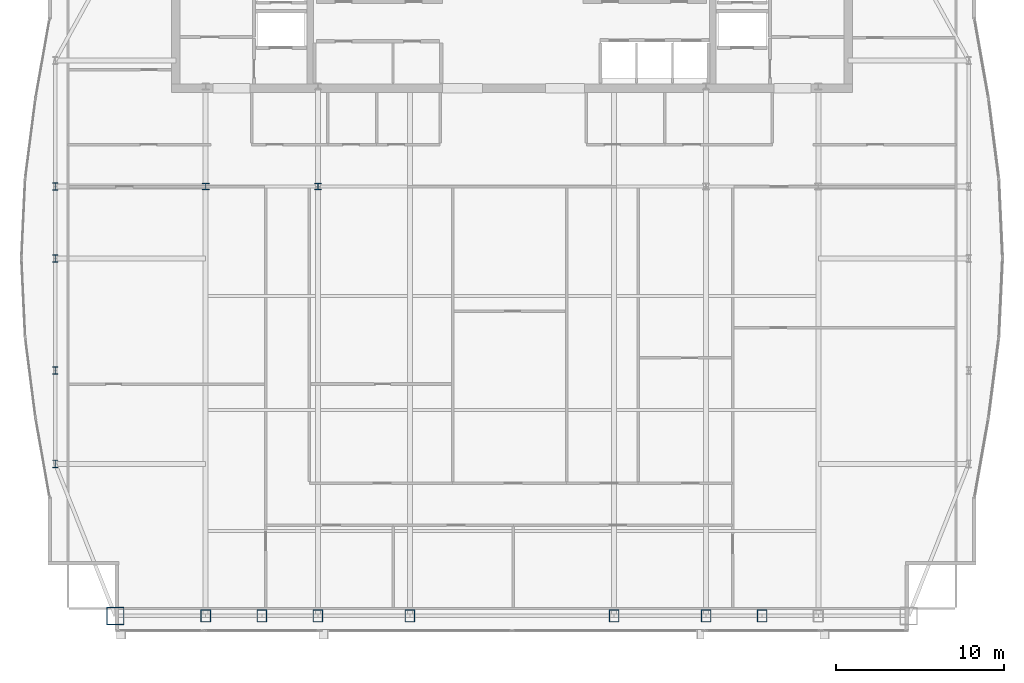
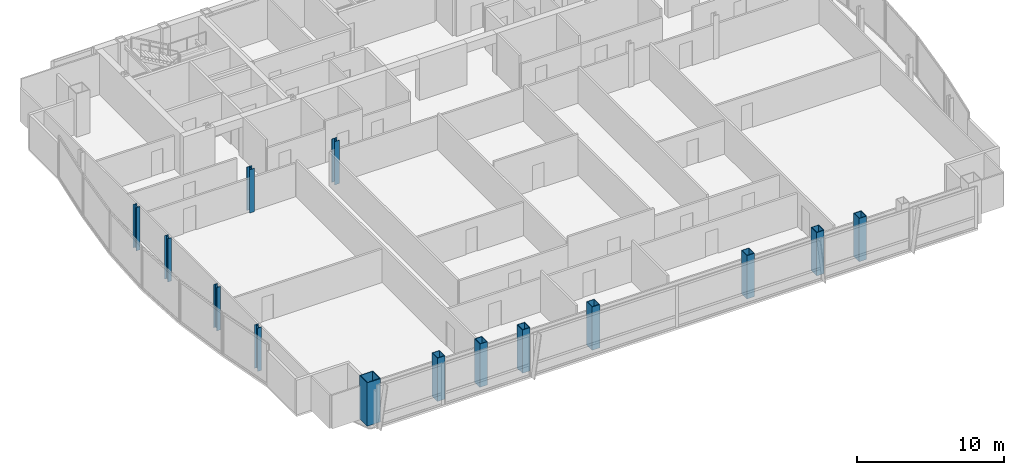
# One storey, part 1 of 30: 14 columns.
"""IFC4 building model written with IfcOpenShell, lengths in metres."""

from ifc_helpers import new_model, si_unit, direction, frame, origin, origin_2d, place, context, subcontext, project, spatial, hollow_rectangle, i_section, extrude, material, material_profile, profile_set, type_object, element, save


model = new_model("IFC4")

# Units and contexts
model_context = context("Model", 3, precision=1e-05, world=origin(), true_north=direction((0.0, 1.0)))
body_context = subcontext(model_context, "Body", "Model", "MODEL_VIEW")
ifc_project = project(units=[si_unit("LENGTHUNIT", "METRE"), si_unit("AREAUNIT", "SQUARE_METRE"), si_unit("VOLUMEUNIT", "CUBIC_METRE"), si_unit("PLANEANGLEUNIT", "RADIAN"), si_unit("MASSUNIT", "GRAM", prefix="KILO")], contexts=[model_context])

# Site, building, storey
site_placement = place(None, origin())
site = spatial("IfcSite", under=ifc_project, at=site_placement, CompositionType="ELEMENT")
building_placement = place(site_placement, origin())
building = spatial("IfcBuilding", under=site, at=building_placement, Name="Khoronbel Lancet Exchange", CompositionType="ELEMENT")
storey_placement = place(building_placement, frame((0.0, 0.0, 277.0)))
storey = spatial("IfcBuildingStorey", under=building, at=storey_placement, Name="L71", CompositionType="ELEMENT", Elevation=277.0)

# Columns
ifc_material_1 = material(Name="Steel S460", Category="steel")
ifc_material_profile_1 = material_profile(ifc_material_1, hollow_rectangle(XDim=0.60009765625, YDim=0.75, WallThickness=0.044921875, at=origin_2d()), Name="BOX 750x600x45")
ifc_profile_set_1 = profile_set([ifc_material_profile_1], Name="Steel S460")
column_type_1 = type_object("IfcColumnType", Name="COL-EC3", PredefinedType="COLUMN", material=ifc_profile_set_1)
for number, where, z_axis, x_axis, name in (
    (1, (18.22509765625, 10.14990234375, 0.0), (0.0, 0.0, 1.0), (1.0, 0.0, 0.0), "Structural column SC-W1 L71"),
    (2, (21.5625, 10.14990234375, 0.0), (0.0, 0.0, 1.0), (1.0, 0.0, 0.0), "Structural column SC-WM L71"),
    (3, (24.89990234375, 10.14990234375, 0.0), (0.0, 0.0, 1.0), (1.0, 0.0, 0.0), "Structural column SC-W2 L71"),
    (4, (30.375, 10.14990234375, 0.0), (0.0, 0.0, 1.0), (1.0, 0.0, 0.0), "Structural column SC-C1 L71"),
    (5, (42.52490234375, 10.14990234375, 0.0), (0.0, 0.0, 1.0), (1.0, 0.0, 0.0), "Structural column SC-C2 L71"),
    (6, (48.0, 10.14990234375, 0.0), (0.0, 0.0, 1.0), (1.0, 0.0, 0.0), "Structural column SC-E1 L71"),
    (7, (51.33740234375, 10.14990234375, 0.0), (0.0, 0.0, 1.0), (1.0, 0.0, 0.0), "Structural column SC-EM L71"),
):
    element("IfcColumn", number, at=place(storey_placement, frame(where, z_axis=z_axis, x_axis=x_axis)), inside=storey, type_object=column_type_1, Name=name, PredefinedType="COLUMN", context=body_context, shape_type="SweptSolid", body=[
        extrude(hollow_rectangle(XDim=0.60009765625, YDim=0.75, WallThickness=0.044921875, at=origin_2d()), origin(), (0.0, 0.0, 1.0), 3.60009765625),
    ])
ifc_material_2 = material(Name="Steel S355", Category="steel")
ifc_material_profile_2 = material_profile(ifc_material_2, i_section(OverallWidth=0.39892578125, OverallDepth=0.39306640625, WebThickness=0.022705078125, FlangeThickness=0.03662109375, at=origin_2d()), Name="HD 400x287")
ifc_profile_set_2 = profile_set([ifc_material_profile_2], Name="Steel S355")
column_type_2 = type_object("IfcColumnType", Name="COL-IC4", PredefinedType="COLUMN", material=ifc_profile_set_2)
for number, where, z_axis, x_axis, name in (
    (8, (18.22509765625, 35.699951171875, 0.0), (0.0, 0.0, 1.0), (1.0, 0.0, 0.0), "Spine gravity column TC1 L71"),
    (9, (24.89990234375, 35.699951171875, 0.0), (0.0, 0.0, 1.0), (1.0, 0.0, 0.0), "Spine gravity column TC2 L71"),
):
    element("IfcColumn", number, at=place(storey_placement, frame(where, z_axis=z_axis, x_axis=x_axis)), inside=storey, type_object=column_type_2, Name=name, PredefinedType="COLUMN", context=body_context, shape_type="SweptSolid", body=[
        extrude(i_section(OverallWidth=0.39892578125, OverallDepth=0.39306640625, WebThickness=0.022705078125, FlangeThickness=0.03662109375, at=origin_2d()), origin(), (0.0, 0.0, 1.0), 3.60009765625),
    ])
ifc_material_profile_3 = material_profile(ifc_material_2, i_section(OverallWidth=0.300048828125, OverallDepth=0.449951171875, WebThickness=0.013916015625, FlangeThickness=0.02587890625, at=origin_2d()), Name="HEB 450")
ifc_profile_set_3 = profile_set([ifc_material_profile_3], Name="Steel S355")
column_type_3 = type_object("IfcColumnType", Name="COL-LC2", PredefinedType="COLUMN", material=ifc_profile_set_3)
for number, where, z_axis, x_axis, name in (
    (10, (9.27001953125, 19.199951171875, 0.0), (0.0, 0.0, 1.0), (1.0, 0.0, 0.0), "Structural column WC-1 L71"),
    (11, (9.27001953125, 24.75, 0.0), (0.0, 0.0, 1.0), (1.0, 0.0, 0.0), "Structural column WC-2 L71"),
    (12, (9.27001953125, 31.425048828125, 0.0), (0.0, 0.0, 1.0), (1.0, 0.0, 0.0), "Structural column WC-M L71"),
    (13, (9.27001953125, 35.699951171875, 0.0), (0.0, 0.0, 1.0), (1.0, 0.0, 0.0), "Structural column WC-3 L71"),
):
    element("IfcColumn", number, at=place(storey_placement, frame(where, z_axis=z_axis, x_axis=x_axis)), inside=storey, type_object=column_type_3, Name=name, PredefinedType="COLUMN", context=body_context, shape_type="SweptSolid", body=[
        extrude(i_section(OverallWidth=0.300048828125, OverallDepth=0.449951171875, WebThickness=0.013916015625, FlangeThickness=0.02587890625, at=origin_2d()), origin(), (0.0, 0.0, 1.0), 3.60009765625),
    ])
ifc_material_profile_4 = material_profile(ifc_material_1, hollow_rectangle(XDim=1.050048828125, YDim=1.050048828125, WallThickness=0.054931640625, at=origin_2d()), Name="BOX 1050x1050x55")
ifc_profile_set_4 = profile_set([ifc_material_profile_4], Name="Steel S460")
column_type_4 = type_object("IfcColumnType", Name="COL-MC6", PredefinedType="COLUMN", material=ifc_profile_set_4)
column_placement = place(storey_placement, frame((12.85009765625, 10.14990234375, 0.0), z_axis=(0.0, 0.0, 1.0), x_axis=(1.0, 0.0, 0.0)))
element("IfcColumn", 14, at=column_placement, inside=storey, type_object=column_type_4, Name="Structural column MC-SW L71", PredefinedType="COLUMN", context=body_context, shape_type="SweptSolid", body=[
    extrude(hollow_rectangle(XDim=1.050048828125, YDim=1.050048828125, WallThickness=0.054931640625, at=origin_2d()), origin(), (0.0, 0.0, 1.0), 3.60009765625),
])

save(model, "model.ifc")
